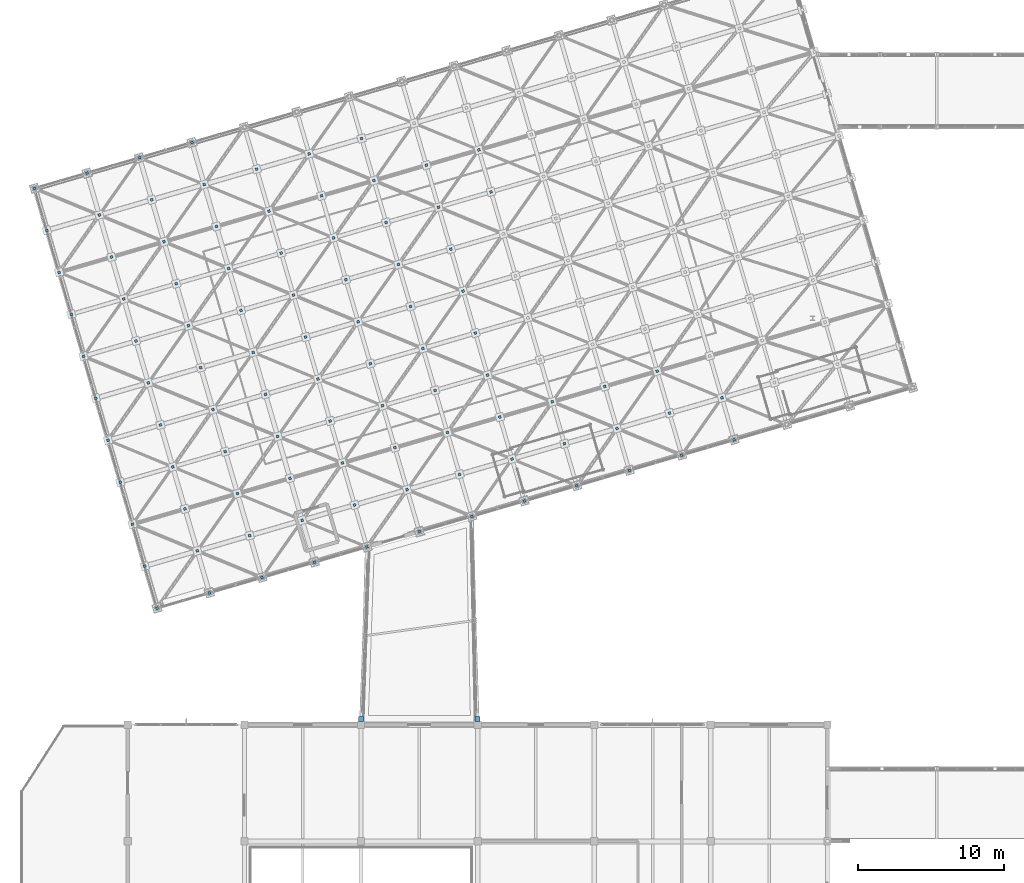
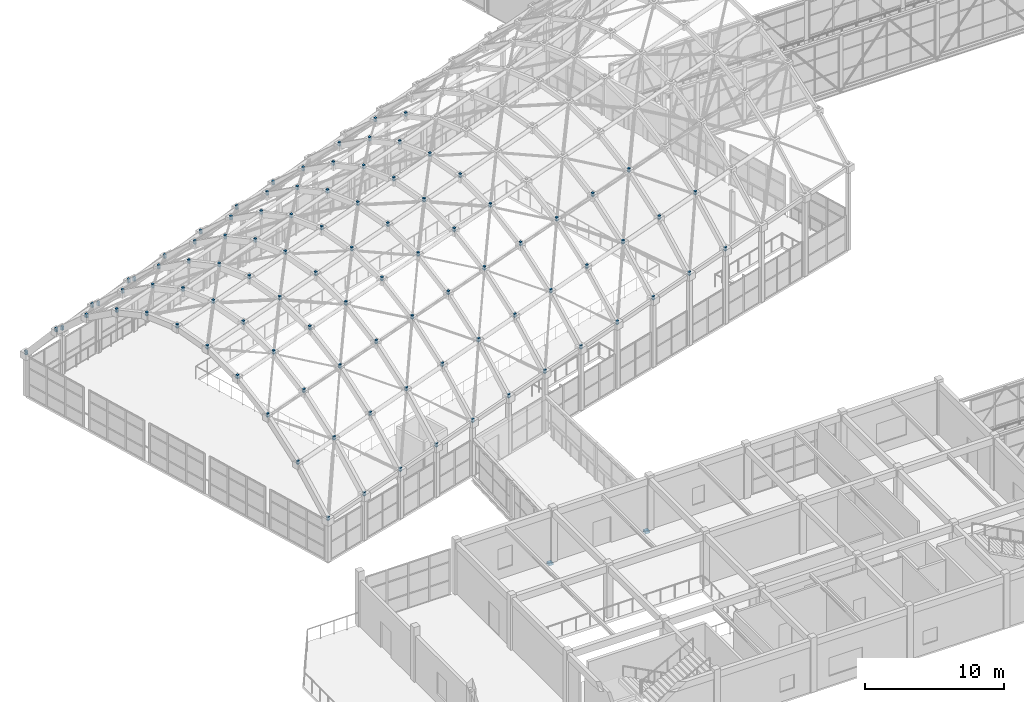
# One storey, part 232 of 248: 98 discrete accessories.
"""IFC4 building model written with IfcOpenShell, lengths in metres."""

from ifc_helpers import new_model, si_unit, direction, frame, origin, origin_2d, place, context, subcontext, project, spatial, rectangle, extrude, material, type_object, element, save


model = new_model("IFC4")

# Units and contexts
model_context = context("Model", 3, precision=1e-05, world=origin(), true_north=direction((0.0, 1.0)))
body_context = subcontext(model_context, "Body", "Model", "MODEL_VIEW")
ifc_project = project(units=[si_unit("LENGTHUNIT", "METRE"), si_unit("AREAUNIT", "SQUARE_METRE"), si_unit("VOLUMEUNIT", "CUBIC_METRE"), si_unit("PLANEANGLEUNIT", "RADIAN"), si_unit("MASSUNIT", "GRAM", prefix="KILO")], contexts=[model_context])

# Site, building, storey
site_placement = place(None, origin())
site = spatial("IfcSite", under=ifc_project, at=site_placement, CompositionType="ELEMENT")
building_placement = place(site_placement, origin())
building = spatial("IfcBuilding", under=site, at=building_placement, Name="Canggui Botanical Conservatory", CompositionType="ELEMENT")
storey_placement = place(building_placement, frame((0.0, 0.0, 5.39990234375)))
storey = spatial("IfcBuildingStorey", under=building, at=storey_placement, Name="L02", CompositionType="ELEMENT", Elevation=5.39990234375)

# Discrete accessories
ifc_material_1 = material(Name="Stainless Steel 316", Category="steel")
discrete_accessory_type_1 = type_object("IfcDiscreteAccessoryType", Name="ACC-BRK01", PredefinedType="BRACKET", material=ifc_material_1)
for number, where, z_axis, x_axis, name in (
    (1, (20.0, 42.0, 3.58984375), (0.0, 0.0, 1.0), (0.960000000041, 0.279999999861, 0.0), "Gridshell Glazing Spider Bracket GS-N001"),
    (2, (19.159912109375, 44.8798828125, 7.0458984375), (0.0, 0.0, 1.0), (0.960000000041, 0.279999999861, 0.0), "Gridshell Glazing Spider Bracket GS-N002"),
    (3, (18.320068359375, 47.760009765625, 9.73388671875), (0.0, 0.0, 1.0), (0.960000000041, 0.279999999861, 0.0), "Gridshell Glazing Spider Bracket GS-N003"),
    (4, (17.47998046875, 50.639892578125, 11.654296875), (0.0, 0.0, 1.0), (0.960000000041, 0.279999999861, 0.0), "Gridshell Glazing Spider Bracket GS-N004"),
    (5, (16.639892578125, 53.52001953125, 12.80615234375), (0.0, 0.0, 1.0), (0.960000000041, 0.279999999861, 0.0), "Gridshell Glazing Spider Bracket GS-N005"),
    (6, (15.800048828125, 56.39990234375, 13.18994140625), (0.0, 0.0, 1.0), (0.960000000041, 0.279999999861, 0.0), "Gridshell Glazing Spider Bracket GS-N006"),
    (7, (14.9599609375, 59.280029296875, 12.80615234375), (0.0, 0.0, 1.0), (0.960000000041, 0.279999999861, 0.0), "Gridshell Glazing Spider Bracket GS-N007"),
    (8, (14.1201171875, 62.159912109375, 11.654296875), (0.0, 0.0, 1.0), (0.960000000041, 0.279999999861, 0.0), "Gridshell Glazing Spider Bracket GS-N008"),
    (9, (13.280029296875, 65.0400390625, 9.73388671875), (0.0, 0.0, 1.0), (0.960000000041, 0.279999999861, 0.0), "Gridshell Glazing Spider Bracket GS-N009"),
    (10, (12.43994140625, 67.919921875, 7.0458984375), (0.0, 0.0, 1.0), (0.960000000041, 0.279999999861, 0.0), "Gridshell Glazing Spider Bracket GS-N010"),
    (11, (11.60009765625, 70.800048828125, 3.58984375), (0.0, 0.0, 1.0), (0.960000000041, 0.279999999861, 0.0), "Gridshell Glazing Spider Bracket GS-N011"),
    (12, (23.60009765625, 43.050048828125, 3.83984375), (0.0, 0.0, 1.0), (0.960000000041, 0.279999999861, 0.0), "Gridshell Glazing Spider Bracket GS-N012"),
    (13, (22.760009765625, 45.929931640625, 7.2958984375), (0.0, 0.0, 1.0), (0.960000000041, 0.279999999861, 0.0), "Gridshell Glazing Spider Bracket GS-N013"),
    (14, (21.919921875, 48.81005859375, 9.98388671875), (0.0, 0.0, 1.0), (0.960000000041, 0.279999999861, 0.0), "Gridshell Glazing Spider Bracket GS-N014"),
    (15, (21.080078125, 51.68994140625, 11.904296875), (0.0, 0.0, 1.0), (0.960000000041, 0.279999999861, 0.0), "Gridshell Glazing Spider Bracket GS-N015"),
    (16, (20.239990234375, 54.570068359375, 13.05615234375), (0.0, 0.0, 1.0), (0.960000000041, 0.279999999861, 0.0), "Gridshell Glazing Spider Bracket GS-N016"),
    (17, (19.39990234375, 57.449951171875, 13.43994140625), (0.0, 0.0, 1.0), (0.960000000041, 0.279999999861, 0.0), "Gridshell Glazing Spider Bracket GS-N017"),
    (18, (18.56005859375, 60.330078125, 13.05615234375), (0.0, 0.0, 1.0), (0.960000000041, 0.279999999861, 0.0), "Gridshell Glazing Spider Bracket GS-N018"),
    (19, (17.719970703125, 63.2099609375, 11.904296875), (0.0, 0.0, 1.0), (0.960000000041, 0.279999999861, 0.0), "Gridshell Glazing Spider Bracket GS-N019"),
    (20, (16.8798828125, 66.090087890625, 9.98388671875), (0.0, 0.0, 1.0), (0.960000000041, 0.279999999861, 0.0), "Gridshell Glazing Spider Bracket GS-N020"),
    (21, (16.0400390625, 68.969970703125, 7.2958984375), (0.0, 0.0, 1.0), (0.960000000041, 0.279999999861, 0.0), "Gridshell Glazing Spider Bracket GS-N021"),
    (22, (15.199951171875, 71.85009765625, 3.83984375), (0.0, 0.0, 1.0), (0.960000000041, 0.279999999861, 0.0), "Gridshell Glazing Spider Bracket GS-N022"),
    (23, (27.199951171875, 44.10009765625, 4.08984375), (0.0, 0.0, 1.0), (0.960000000041, 0.279999999861, 0.0), "Gridshell Glazing Spider Bracket GS-N023"),
    (24, (26.360107421875, 46.97998046875, 7.5458984375), (0.0, 0.0, 1.0), (0.960000000041, 0.279999999861, 0.0), "Gridshell Glazing Spider Bracket GS-N024"),
    (25, (25.52001953125, 49.860107421875, 10.23388671875), (0.0, 0.0, 1.0), (0.960000000041, 0.279999999861, 0.0), "Gridshell Glazing Spider Bracket GS-N025"),
    (26, (24.679931640625, 52.739990234375, 12.154296875), (0.0, 0.0, 1.0), (0.960000000041, 0.279999999861, 0.0), "Gridshell Glazing Spider Bracket GS-N026"),
    (27, (23.840087890625, 55.6201171875, 13.30615234375), (0.0, 0.0, 1.0), (0.960000000041, 0.279999999861, 0.0), "Gridshell Glazing Spider Bracket GS-N027"),
    (28, (23.0, 58.5, 13.68994140625), (0.0, 0.0, 1.0), (0.960000000041, 0.279999999861, 0.0), "Gridshell Glazing Spider Bracket GS-N028"),
    (29, (22.159912109375, 61.3798828125, 13.30615234375), (0.0, 0.0, 1.0), (0.960000000041, 0.279999999861, 0.0), "Gridshell Glazing Spider Bracket GS-N029"),
    (30, (21.320068359375, 64.260009765625, 12.154296875), (0.0, 0.0, 1.0), (0.960000000041, 0.279999999861, 0.0), "Gridshell Glazing Spider Bracket GS-N030"),
    (31, (20.47998046875, 67.139892578125, 10.23388671875), (0.0, 0.0, 1.0), (0.960000000041, 0.279999999861, 0.0), "Gridshell Glazing Spider Bracket GS-N031"),
    (32, (19.639892578125, 70.02001953125, 7.5458984375), (0.0, 0.0, 1.0), (0.960000000041, 0.279999999861, 0.0), "Gridshell Glazing Spider Bracket GS-N032"),
    (33, (18.800048828125, 72.89990234375, 4.08984375), (0.0, 0.0, 1.0), (0.960000000041, 0.279999999861, 0.0), "Gridshell Glazing Spider Bracket GS-N033"),
    (34, (30.800048828125, 45.14990234375, 4.33984375), (0.0, 0.0, 1.0), (0.960000000041, 0.279999999861, 0.0), "Gridshell Glazing Spider Bracket GS-N034"),
    (35, (29.9599609375, 48.030029296875, 7.7958984375), (0.0, 0.0, 1.0), (0.960000000041, 0.279999999861, 0.0), "Gridshell Glazing Spider Bracket GS-N035"),
    (36, (29.1201171875, 50.909912109375, 10.48388671875), (0.0, 0.0, 1.0), (0.960000000041, 0.279999999861, 0.0), "Gridshell Glazing Spider Bracket GS-N036"),
    (37, (28.280029296875, 53.7900390625, 12.404296875), (0.0, 0.0, 1.0), (0.960000000041, 0.279999999861, 0.0), "Gridshell Glazing Spider Bracket GS-N037"),
    (38, (27.43994140625, 56.669921875, 13.55615234375), (0.0, 0.0, 1.0), (0.960000000041, 0.279999999861, 0.0), "Gridshell Glazing Spider Bracket GS-N038"),
    (39, (26.60009765625, 59.550048828125, 13.93994140625), (0.0, 0.0, 1.0), (0.960000000041, 0.279999999861, 0.0), "Gridshell Glazing Spider Bracket GS-N039"),
    (40, (25.760009765625, 62.429931640625, 13.55615234375), (0.0, 0.0, 1.0), (0.960000000041, 0.279999999861, 0.0), "Gridshell Glazing Spider Bracket GS-N040"),
    (41, (24.919921875, 65.31005859375, 12.404296875), (0.0, 0.0, 1.0), (0.960000000041, 0.279999999861, 0.0), "Gridshell Glazing Spider Bracket GS-N041"),
    (42, (24.080078125, 68.18994140625, 10.48388671875), (0.0, 0.0, 1.0), (0.960000000041, 0.279999999861, 0.0), "Gridshell Glazing Spider Bracket GS-N042"),
    (43, (23.239990234375, 71.070068359375, 7.7958984375), (0.0, 0.0, 1.0), (0.960000000041, 0.279999999861, 0.0), "Gridshell Glazing Spider Bracket GS-N043"),
    (44, (22.39990234375, 73.949951171875, 4.33984375), (0.0, 0.0, 1.0), (0.960000000041, 0.279999999861, 0.0), "Gridshell Glazing Spider Bracket GS-N044"),
    (45, (34.39990234375, 46.199951171875, 4.58984375), (0.0, 0.0, 1.0), (0.960000000041, 0.279999999861, 0.0), "Gridshell Glazing Spider Bracket GS-N045"),
    (46, (33.56005859375, 49.080078125, 8.0458984375), (0.0, 0.0, 1.0), (0.960000000041, 0.279999999861, 0.0), "Gridshell Glazing Spider Bracket GS-N046"),
    (47, (32.719970703125, 51.9599609375, 10.73388671875), (0.0, 0.0, 1.0), (0.960000000041, 0.279999999861, 0.0), "Gridshell Glazing Spider Bracket GS-N047"),
    (48, (31.8798828125, 54.840087890625, 12.654296875), (0.0, 0.0, 1.0), (0.960000000041, 0.279999999861, 0.0), "Gridshell Glazing Spider Bracket GS-N048"),
    (49, (31.0400390625, 57.719970703125, 13.80615234375), (0.0, 0.0, 1.0), (0.960000000041, 0.279999999861, 0.0), "Gridshell Glazing Spider Bracket GS-N049"),
    (50, (30.199951171875, 60.60009765625, 14.18994140625), (0.0, 0.0, 1.0), (0.960000000041, 0.279999999861, 0.0), "Gridshell Glazing Spider Bracket GS-N050"),
    (51, (29.360107421875, 63.47998046875, 13.80615234375), (0.0, 0.0, 1.0), (0.960000000041, 0.279999999861, 0.0), "Gridshell Glazing Spider Bracket GS-N051"),
    (52, (28.52001953125, 66.360107421875, 12.654296875), (0.0, 0.0, 1.0), (0.960000000041, 0.279999999861, 0.0), "Gridshell Glazing Spider Bracket GS-N052"),
    (53, (27.679931640625, 69.239990234375, 10.73388671875), (0.0, 0.0, 1.0), (0.960000000041, 0.279999999861, 0.0), "Gridshell Glazing Spider Bracket GS-N053"),
    (54, (26.840087890625, 72.1201171875, 8.0458984375), (0.0, 0.0, 1.0), (0.960000000041, 0.279999999861, 0.0), "Gridshell Glazing Spider Bracket GS-N054"),
    (55, (38.0, 47.25, 4.83984375), (0.0, 0.0, 1.0), (0.960000000041, 0.279999999861, 0.0), "Gridshell Glazing Spider Bracket GS-N056"),
    (56, (37.159912109375, 50.1298828125, 8.2958984375), (0.0, 0.0, 1.0), (0.960000000041, 0.279999999861, 0.0), "Gridshell Glazing Spider Bracket GS-N057"),
    (57, (36.320068359375, 53.010009765625, 10.98388671875), (0.0, 0.0, 1.0), (0.960000000041, 0.279999999861, 0.0), "Gridshell Glazing Spider Bracket GS-N058"),
    (58, (35.47998046875, 55.889892578125, 12.904296875), (0.0, 0.0, 1.0), (0.960000000041, 0.279999999861, 0.0), "Gridshell Glazing Spider Bracket GS-N059"),
    (59, (34.639892578125, 58.77001953125, 14.05615234375), (0.0, 0.0, 1.0), (0.960000000041, 0.279999999861, 0.0), "Gridshell Glazing Spider Bracket GS-N060"),
    (60, (33.800048828125, 61.64990234375, 14.43994140625), (0.0, 0.0, 1.0), (0.960000000041, 0.279999999861, 0.0), "Gridshell Glazing Spider Bracket GS-N061"),
    (61, (32.9599609375, 64.530029296875, 14.05615234375), (0.0, 0.0, 1.0), (0.960000000041, 0.279999999861, 0.0), "Gridshell Glazing Spider Bracket GS-N062"),
    (62, (32.1201171875, 67.409912109375, 12.904296875), (0.0, 0.0, 1.0), (0.960000000041, 0.279999999861, 0.0), "Gridshell Glazing Spider Bracket GS-N063"),
    (63, (31.280029296875, 70.2900390625, 10.98388671875), (0.0, 0.0, 1.0), (0.960000000041, 0.279999999861, 0.0), "Gridshell Glazing Spider Bracket GS-N064"),
    (64, (30.43994140625, 73.169921875, 8.2958984375), (0.0, 0.0, 1.0), (0.960000000041, 0.279999999861, 0.0), "Gridshell Glazing Spider Bracket GS-N065"),
    (65, (41.60009765625, 48.300048828125, 5.08984375), (0.0, 0.0, 1.0), (0.960000000041, 0.279999999861, 0.0), "Gridshell Glazing Spider Bracket GS-N067"),
    (66, (40.760009765625, 51.179931640625, 8.5458984375), (0.0, 0.0, 1.0), (0.960000000041, 0.279999999861, 0.0), "Gridshell Glazing Spider Bracket GS-N068"),
    (67, (39.919921875, 54.06005859375, 11.23388671875), (0.0, 0.0, 1.0), (0.960000000041, 0.279999999861, 0.0), "Gridshell Glazing Spider Bracket GS-N069"),
    (68, (39.080078125, 56.93994140625, 13.154296875), (0.0, 0.0, 1.0), (0.960000000041, 0.279999999861, 0.0), "Gridshell Glazing Spider Bracket GS-N070"),
    (69, (38.239990234375, 59.820068359375, 14.30615234375), (0.0, 0.0, 1.0), (0.960000000041, 0.279999999861, 0.0), "Gridshell Glazing Spider Bracket GS-N071"),
    (70, (37.39990234375, 62.699951171875, 14.68994140625), (0.0, 0.0, 1.0), (0.960000000041, 0.279999999861, 0.0), "Gridshell Glazing Spider Bracket GS-N072"),
    (71, (36.56005859375, 65.580078125, 14.30615234375), (0.0, 0.0, 1.0), (0.960000000041, 0.279999999861, 0.0), "Gridshell Glazing Spider Bracket GS-N073"),
    (72, (35.719970703125, 68.4599609375, 13.154296875), (0.0, 0.0, 1.0), (0.960000000041, 0.279999999861, 0.0), "Gridshell Glazing Spider Bracket GS-N074"),
    (73, (34.8798828125, 71.340087890625, 11.23388671875), (0.0, 0.0, 1.0), (0.960000000041, 0.279999999861, 0.0), "Gridshell Glazing Spider Bracket GS-N075"),
    (74, (34.0400390625, 74.219970703125, 8.5458984375), (0.0, 0.0, 1.0), (0.960000000041, 0.279999999861, 0.0), "Gridshell Glazing Spider Bracket GS-N076"),
    (75, (45.199951171875, 49.35009765625, 5.33984375), (0.0, 0.0, 1.0), (0.960000000041, 0.279999999861, 0.0), "Gridshell Glazing Spider Bracket GS-N078"),
    (76, (44.360107421875, 52.22998046875, 8.7958984375), (0.0, 0.0, 1.0), (0.960000000041, 0.279999999861, 0.0), "Gridshell Glazing Spider Bracket GS-N079"),
    (77, (43.52001953125, 55.110107421875, 11.48388671875), (0.0, 0.0, 1.0), (0.960000000041, 0.279999999861, 0.0), "Gridshell Glazing Spider Bracket GS-N080"),
    (78, (42.679931640625, 57.989990234375, 13.404296875), (0.0, 0.0, 1.0), (0.960000000041, 0.279999999861, 0.0), "Gridshell Glazing Spider Bracket GS-N081"),
    (79, (41.840087890625, 60.8701171875, 14.55615234375), (0.0, 0.0, 1.0), (0.960000000041, 0.279999999861, 0.0), "Gridshell Glazing Spider Bracket GS-N082"),
    (80, (41.0, 63.75, 14.93994140625), (0.0, 0.0, 1.0), (0.960000000041, 0.279999999861, 0.0), "Gridshell Glazing Spider Bracket GS-N083"),
    (81, (40.159912109375, 66.6298828125, 14.55615234375), (0.0, 0.0, 1.0), (0.960000000041, 0.279999999861, 0.0), "Gridshell Glazing Spider Bracket GS-N084"),
    (82, (39.320068359375, 69.510009765625, 13.404296875), (0.0, 0.0, 1.0), (0.960000000041, 0.279999999861, 0.0), "Gridshell Glazing Spider Bracket GS-N085"),
    (83, (38.47998046875, 72.389892578125, 11.48388671875), (0.0, 0.0, 1.0), (0.960000000041, 0.279999999861, 0.0), "Gridshell Glazing Spider Bracket GS-N086"),
    (84, (48.800048828125, 50.39990234375, 5.58984375), (0.0, 0.0, 1.0), (0.960000000041, 0.279999999861, 0.0), "Gridshell Glazing Spider Bracket GS-N089"),
    (85, (47.9599609375, 53.280029296875, 9.0458984375), (0.0, 0.0, 1.0), (0.960000000041, 0.279999999861, 0.0), "Gridshell Glazing Spider Bracket GS-N090"),
    (86, (47.1201171875, 56.159912109375, 11.73388671875), (0.0, 0.0, 1.0), (0.960000000041, 0.279999999861, 0.0), "Gridshell Glazing Spider Bracket GS-N091"),
    (87, (42.919921875, 70.56005859375, 13.654296875), (0.0, 0.0, 1.0), (0.960000000041, 0.279999999861, 0.0), "Gridshell Glazing Spider Bracket GS-N096"),
    (88, (42.080078125, 73.43994140625, 11.73388671875), (0.0, 0.0, 1.0), (0.960000000041, 0.279999999861, 0.0), "Gridshell Glazing Spider Bracket GS-N097"),
    (89, (52.39990234375, 51.449951171875, 5.83984375), (0.0, 0.0, 1.0), (0.960000000041, 0.279999999861, 0.0), "Gridshell Glazing Spider Bracket GS-N100"),
    (90, (51.56005859375, 54.330078125, 9.2958984375), (0.0, 0.0, 1.0), (0.960000000041, 0.279999999861, 0.0), "Gridshell Glazing Spider Bracket GS-N101"),
    (91, (50.719970703125, 57.2099609375, 11.98388671875), (0.0, 0.0, 1.0), (0.960000000041, 0.279999999861, 0.0), "Gridshell Glazing Spider Bracket GS-N102"),
    (92, (56.0, 52.5, 6.08984375), (0.0, 0.0, 1.0), (0.960000000041, 0.279999999861, 0.0), "Gridshell Glazing Spider Bracket GS-N111"),
    (93, (55.159912109375, 55.3798828125, 9.5458984375), (0.0, 0.0, 1.0), (0.960000000041, 0.279999999861, 0.0), "Gridshell Glazing Spider Bracket GS-N112"),
    (94, (54.320068359375, 58.260009765625, 12.23388671875), (0.0, 0.0, 1.0), (0.960000000041, 0.279999999861, 0.0), "Gridshell Glazing Spider Bracket GS-N113"),
    (95, (59.60009765625, 53.550048828125, 6.33984375), (0.0, 0.0, 1.0), (0.960000000041, 0.279999999861, 0.0), "Gridshell Glazing Spider Bracket GS-N122"),
    (96, (58.760009765625, 56.429931640625, 9.7958984375), (0.0, 0.0, 1.0), (0.960000000041, 0.279999999861, 0.0), "Gridshell Glazing Spider Bracket GS-N123"),
):
    element("IfcDiscreteAccessory", number, at=place(storey_placement, frame(where, z_axis=z_axis, x_axis=x_axis)), inside=storey, type_object=discrete_accessory_type_1, Name=name, PredefinedType="BRACKET", context=body_context, shape_type="SweptSolid", body=[
        extrude(rectangle(XDim=0.179931640625, YDim=0.179931640625, at=origin_2d()), origin(), (0.0, 0.0, 1.0), 0.340087890625),
    ])
ifc_material_2 = material(Name="Steel Q355B", Category="steel")
discrete_accessory_type_2 = type_object("IfcDiscreteAccessoryType", Name="ACC-SBN01", PredefinedType="SHOE", material=ifc_material_2)
for number, where, z_axis, x_axis, name in (
    (97, (34.0, 34.39990234375, -0.58984375), (0.0, 0.0, 1.0), (1.0, 0.0, 0.0), "Unguided Bidirectional PTFE Sliding Bearing SBN-02-1"),
    (98, (42.0, 34.39990234375, -0.58984375), (0.0, 0.0, 1.0), (1.0, 0.0, 0.0), "Unguided Bidirectional PTFE Sliding Bearing SBN-02-2"),
):
    element("IfcDiscreteAccessory", number, at=place(storey_placement, frame(where, z_axis=z_axis, x_axis=x_axis)), inside=storey, type_object=discrete_accessory_type_2, Name=name, PredefinedType="SHOE", context=body_context, shape_type="SweptSolid", body=[
        extrude(rectangle(XDim=0.35009765625, YDim=0.35009765625, at=origin_2d()), origin(), (0.0, 0.0, 1.0), 0.219970703125),
    ])

save(model, "model.ifc")
